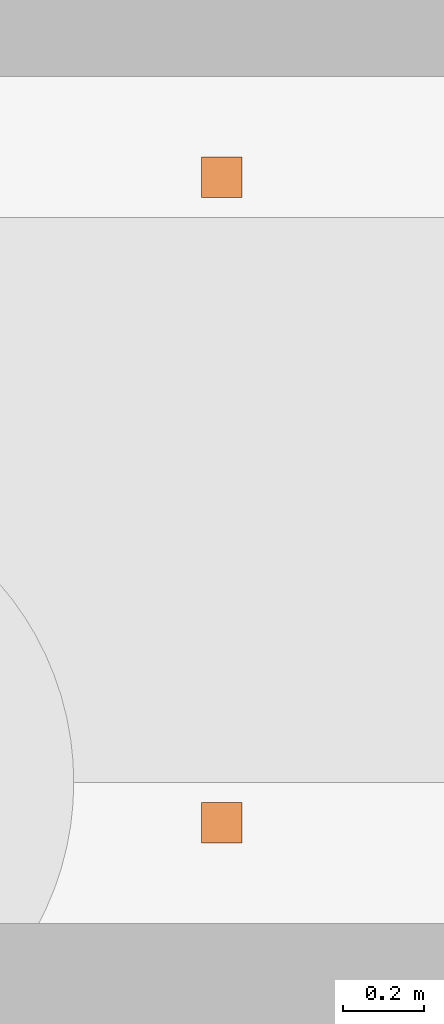
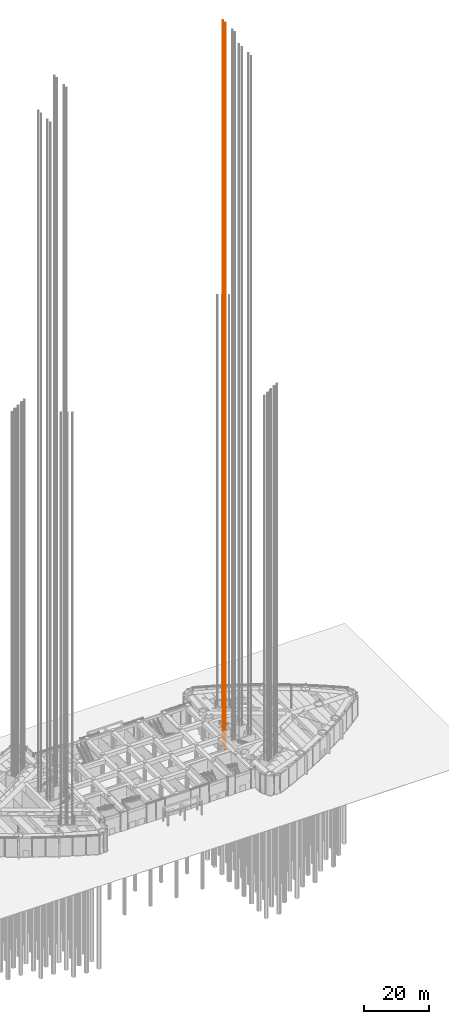
# One storey, part 40 of 43: 1 proxy.
"""IFC4 building model written with IfcOpenShell, lengths in metres."""

from ifc_helpers import new_model, si_unit, direction, frame, origin, origin_2d, place, context, subcontext, project, spatial, rectangle, extrude, material, type_object, element, save


model = new_model("IFC4")

# Units and contexts
model_context = context("Model", 3, precision=1e-05, world=origin(), true_north=direction((0.0, 1.0)))
body_context = subcontext(model_context, "Body", "Model", "MODEL_VIEW")
ifc_project = project(units=[si_unit("LENGTHUNIT", "METRE"), si_unit("AREAUNIT", "SQUARE_METRE"), si_unit("VOLUMEUNIT", "CUBIC_METRE"), si_unit("PLANEANGLEUNIT", "RADIAN"), si_unit("MASSUNIT", "GRAM", prefix="KILO")], contexts=[model_context])

# Site, building, storey
site_placement = place(None, origin())
site = spatial("IfcSite", under=ifc_project, at=site_placement, CompositionType="ELEMENT")
building_placement = place(site_placement, origin())
building = spatial("IfcBuilding", under=site, at=building_placement, Name="Lancet Gate Hotel", CompositionType="ELEMENT")
storey_placement = place(building_placement, origin())
storey = spatial("IfcBuildingStorey", under=building, at=storey_placement, Name="L00", CompositionType="ELEMENT", Elevation=0.0)

# Proxy
ifc_material = material(Name="Steel S355", Category="steel")
building_element_proxy_type = type_object("IfcBuildingElementProxyType", Name="Lift guide rails", PredefinedType="USERDEFINED", material=ifc_material)
proxy_placement = place(storey_placement, frame((29.75, 2.949951171875, 0.0), z_axis=(0.0, 0.0, 1.0), x_axis=(1.0, 0.0, 0.0)))
element("IfcBuildingElementProxy", 1, at=proxy_placement, inside=storey, type_object=building_element_proxy_type, Name="T2-FL2 guide rails", ObjectType="LIFT GUIDE RAILS", PredefinedType="USERDEFINED", context=body_context, shape_type="SweptSolid", body=[
    extrude(rectangle(XDim=0.1, YDim=0.1, at=origin_2d()), frame((0.0, -0.800048828125, 0.0)), (0.0, 0.0, 1.0), 271.300048828125),
    extrude(rectangle(XDim=0.1, YDim=0.1, at=origin_2d()), frame((0.0, 0.800048828125, 0.0)), (0.0, 0.0, 1.0), 271.300048828125),
])

save(model, "model.ifc")
